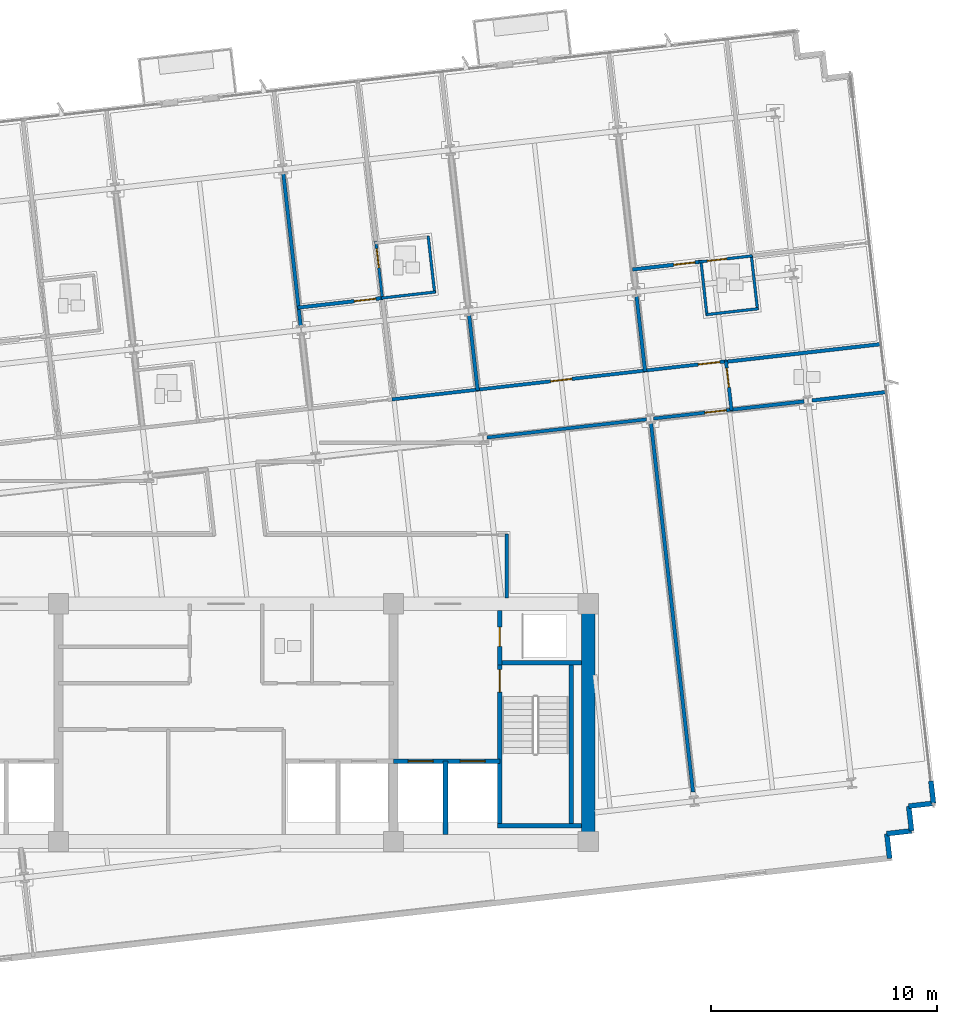
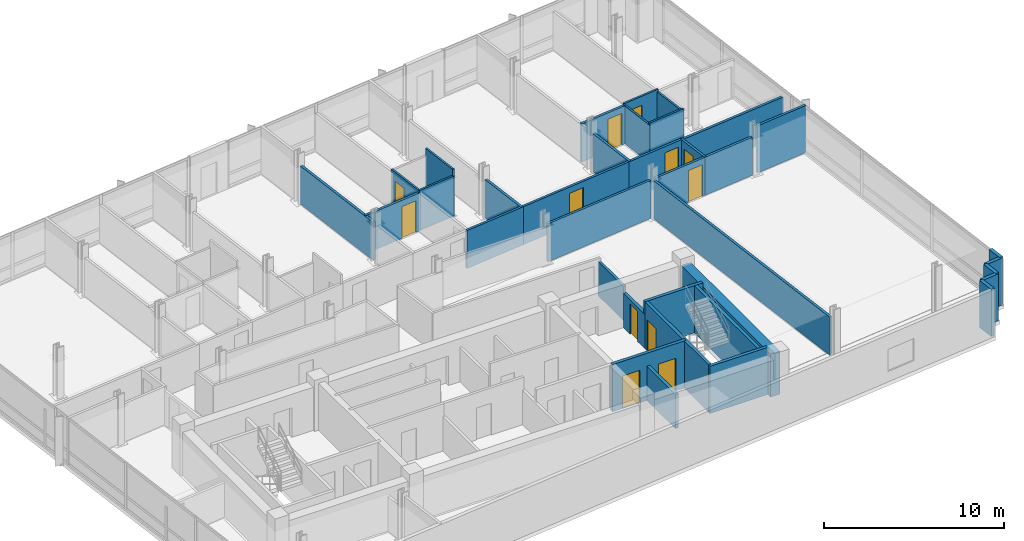
# One storey, part 10 of 16: 36 walls, 12 doors, 12 openings.
"""IFC4 building model written with IfcOpenShell, lengths in metres."""

from ifc_helpers import new_model, si_unit, direction, frame, frame_2d, origin, place, context, subcontext, project, spatial, rectangle, extrude, material, layer, layer_set, type_object, element, fill, save


model = new_model("IFC4")

# Units and contexts
model_context = context("Model", 3, precision=1e-05, world=origin(), true_north=direction((0.0, 1.0)))
body_context = subcontext(model_context, "Body", "Model", "MODEL_VIEW")
ifc_project = project(units=[si_unit("LENGTHUNIT", "METRE"), si_unit("AREAUNIT", "SQUARE_METRE"), si_unit("VOLUMEUNIT", "CUBIC_METRE"), si_unit("PLANEANGLEUNIT", "RADIAN"), si_unit("MASSUNIT", "GRAM", prefix="KILO")], contexts=[model_context])

# Site, building, storey
site_placement = place(None, origin())
site = spatial("IfcSite", under=ifc_project, at=site_placement, CompositionType="ELEMENT")
building_placement = place(site_placement, origin())
building = spatial("IfcBuilding", under=site, at=building_placement, Name="Solmavex Isthmus Hotel", CompositionType="ELEMENT")
storey_placement = place(building_placement, frame((0.0, 0.0, 212.39990234375)))
storey = spatial("IfcBuildingStorey", under=building, at=storey_placement, Name="L57", CompositionType="ELEMENT", Elevation=212.39990234375)

# Walls
ifc_material_1 = material(Name="Precast Concrete C40/50", Category="concrete")
ifc_layer_1 = layer(ifc_material_1, 0.25)
ifc_layer_set_1 = layer_set([ifc_layer_1], Name="Precast Concrete C40/50")
wall_type_1 = type_object("IfcWallType", Name="EW-TWR-250", PredefinedType="STANDARD", material=ifc_layer_set_1)
wall_1_placement = place(storey_placement, frame((31.1474609375, -10.328125, 0.0), z_axis=(0.0, 0.0, 1.0), x_axis=(0.113191877531, -0.993573147212, 0.0)))
element("IfcWall", 1, at=wall_1_placement, inside=storey, type_object=wall_type_1, Name="Serrated Corner Facade Panel L57-21", PredefinedType="STANDARD", context=body_context, shape_type="SweptSolid", body=[
    extrude(rectangle(XDim=0.989990234375, YDim=0.219970703125, at=frame_2d((0.4951171875, 0.0))), origin(), (0.0, 0.0, 1.0), 3.190185546875),
])
wall_2_placement = place(storey_placement, frame((31.259521484375, -11.311767578125, 0.0), z_axis=(0.0, 0.0, 1.0), x_axis=(-0.99357409499, -0.113183557839, 0.0)))
element("IfcWall", 2, at=wall_2_placement, inside=storey, type_object=wall_type_1, Name="Serrated Corner Facade Panel L57-22", PredefinedType="STANDARD", context=body_context, shape_type="SweptSolid", body=[
    extrude(rectangle(XDim=1.10009765625, YDim=0.219970703125, at=frame_2d((0.550048828125, 0.0))), origin(), (0.0, 0.0, 1.0), 3.190185546875),
])
wall_3_placement = place(storey_placement, frame((30.16650390625, -11.436279296875, 0.0), z_axis=(0.0, 0.0, 1.0), x_axis=(0.113427644885, -0.993546259303, 0.0)))
element("IfcWall", 3, at=wall_3_placement, inside=storey, type_object=wall_type_1, Name="Serrated Corner Facade Panel L57-23", PredefinedType="STANDARD", context=body_context, shape_type="SweptSolid", body=[
    extrude(rectangle(XDim=1.099853515625, YDim=0.219970703125, at=frame_2d((0.5498046875, 0.0))), origin(), (0.0, 0.0, 1.0), 3.190185546875),
])
for number, where, z_axis, x_axis, name in (
    (4, (30.291259765625, -12.529052734375, 0.0), (0.0, 0.0, 1.0), (-0.99357409499, -0.113183557839, 0.0), "Serrated Corner Facade Panel L57-24"),
    (5, (29.1982421875, -12.653564453125, 0.0), (0.0, 0.0, 1.0), (0.113183557839, -0.99357409499, 0.0), "Serrated Corner Facade Panel L57-25"),
):
    element("IfcWall", number, at=place(storey_placement, frame(where, z_axis=z_axis, x_axis=x_axis)), inside=storey, type_object=wall_type_1, Name=name, PredefinedType="STANDARD", context=body_context, shape_type="SweptSolid", body=[
        extrude(rectangle(XDim=1.10009765625, YDim=0.219970703125, at=frame_2d((0.550048828125, 0.0))), origin(), (0.0, 0.0, 1.0), 3.190185546875),
    ])
ifc_material_2 = material(Name="Gypsum plasterboard lining", Category="gypsum")
ifc_layer_2 = layer(ifc_material_2, 0.159912109375)
ifc_layer_set_2 = layer_set([ifc_layer_2], Name="Gypsum plasterboard lining")
wall_type_2 = type_object("IfcWallType", Name="IW-COMP-160", PredefinedType="PARTITIONING", material=ifc_layer_set_2)
wall_4_placement = place(storey_placement, frame((2.533203125, 16.529052734375, 0.0), z_axis=(0.0, 0.0, 1.0), x_axis=(0.11321341463, -0.993570693382, 0.0)))
element("IfcWall", 6, at=wall_4_placement, inside=storey, type_object=wall_type_2, Name="Interior Partition Wall W-L57-P042", PredefinedType="PARTITIONING", context=body_context, shape_type="SweptSolid", body=[
    extrude(rectangle(XDim=6.79931640625, YDim=0.159912109375, at=frame_2d((3.399658203125, 0.0))), origin(), (0.0, 0.0, 1.0), 2.572509765625),
])

# Wall, opening, door
wall_5_placement = place(storey_placement, frame((3.169921875, 10.587158203125, 0.0), z_axis=(0.0, 0.0, 1.0), x_axis=(0.993567388358, 0.113242416041, 0.0)))
wall_5 = element("IfcWall", 7, at=wall_5_placement, inside=storey, type_object=wall_type_2, Name="Interior Partition Wall W-L57-P045", PredefinedType="PARTITIONING", context=body_context, shape_type="SweptSolid", body=[
    extrude(rectangle(XDim=3.802978515625, YDim=0.159912109375, at=frame_2d((1.9013671875, 0.0))), origin(), (0.0, 0.0, 1.0), 2.572509765625),
])
opening_1_placement = place(wall_5_placement, frame((2.52099609375, 0.0, 0.0)))
opening_1 = element("IfcOpeningElement", 8, at=opening_1_placement, cuts=wall_5, Name="Opening ID-C095", PredefinedType="OPENING", context=body_context, shape_type="SweptSolid", body=[
    extrude(rectangle(XDim=0.949951171875, YDim=2.14990234375, at=frame_2d((0.47509765625, 1.074951171875))), frame((0.0, 0.08984375, 0.0), z_axis=(0.0, -1.0, 0.0), x_axis=(1.0, 0.0, 0.0)), (0.0, 0.0, 1.0), 0.179931640625),
])
ifc_material_3 = material(Name="Hardwood timber", Category="wood")
door_type_1 = type_object("IfcDoorType", Name="IDR-FD60-0950", OperationType="NOTDEFINED", PredefinedType="DOOR", material=ifc_material_3)
door_1_placement = place(opening_1_placement, origin())
door_1 = element("IfcDoor", 9, at=door_1_placement, inside=storey, type_object=door_type_1, Name="Diplomatic Suite Master Bedroom Door L57-09", OperationType="SINGLE_SWING_LEFT", OverallHeight=2.14990234375, OverallWidth=0.949951171875, PredefinedType="DOOR", context=body_context, shape_type="SweptSolid", body=[
    extrude(rectangle(XDim=0.949951171875, YDim=2.14990234375, at=frame_2d((0.47509765625, 1.074951171875))), frame((0.0, 0.02490234375, 0.0), z_axis=(0.0, -1.0, 0.0), x_axis=(1.0, 0.0, 0.0)), (0.0, 0.0, 1.0), 0.050048828125),
])
fill(opening_1, door_1)

# Walls
wall_6_placement = place(storey_placement, frame((10.740966796875, 10.265869140625, 0.0), z_axis=(0.0, 0.0, 1.0), x_axis=(0.113220917918, -0.993569838384, 0.0)))
element("IfcWall", 10, at=wall_6_placement, inside=storey, type_object=wall_type_2, Name="Interior Partition Wall W-L57-P054", PredefinedType="PARTITIONING", context=body_context, shape_type="SweptSolid", body=[
    extrude(rectangle(XDim=3.36181640625, YDim=0.159912109375, at=frame_2d((1.680908203125, 0.0))), origin(), (0.0, 0.0, 1.0), 2.572509765625),
])
wall_7_placement = place(storey_placement, frame((18.13916015625, 11.108642578125, 0.0), z_axis=(0.0, 0.0, 1.0), x_axis=(0.113229088195, -0.993568907317, 0.0)))
element("IfcWall", 11, at=wall_7_placement, inside=storey, type_object=wall_type_2, Name="Interior Partition Wall W-L57-P056", PredefinedType="PARTITIONING", context=body_context, shape_type="SweptSolid", body=[
    extrude(rectangle(XDim=3.361572265625, YDim=0.159912109375, at=frame_2d((1.6806640625, 0.0))), origin(), (0.0, 0.0, 1.0), 2.572509765625),
])

# Wall, opening, door
wall_8_placement = place(storey_placement, frame((17.96630859375, 12.27294921875, 0.0), z_axis=(0.0, 0.0, 1.0), x_axis=(0.993571907495, 0.113202758961, 0.0)))
wall_8 = element("IfcWall", 12, at=wall_8_placement, inside=storey, type_object=wall_type_2, Name="Interior Partition Wall W-L57-P058", PredefinedType="PARTITIONING", context=body_context, shape_type="SweptSolid", body=[
    extrude(rectangle(XDim=3.083984375, YDim=0.159912109375, at=frame_2d((1.5419921875, 0.0))), origin(), (0.0, 0.0, 1.0), 2.572509765625),
])
opening_2_placement = place(wall_8_placement, frame((1.823974609375, 0.0, 0.0)))
opening_2 = element("IfcOpeningElement", 13, at=opening_2_placement, cuts=wall_8, Name="Opening ID-C095", PredefinedType="OPENING", context=body_context, shape_type="SweptSolid", body=[
    extrude(rectangle(XDim=0.949951171875, YDim=2.14990234375, at=frame_2d((0.47509765625, 1.074951171875))), frame((0.0, 0.08984375, 0.0), z_axis=(0.0, -1.0, 0.0), x_axis=(1.0, 0.0, 0.0)), (0.0, 0.0, 1.0), 0.179931640625),
])
door_2_placement = place(opening_2_placement, origin())
door_2 = element("IfcDoor", 14, at=door_2_placement, inside=storey, type_object=door_type_1, Name="Diplomatic Hospitality Suite Bedroom Door L57-14", OperationType="SINGLE_SWING_RIGHT", OverallHeight=2.14990234375, OverallWidth=0.949951171875, PredefinedType="DOOR", context=body_context, shape_type="SweptSolid", body=[
    extrude(rectangle(XDim=0.949951171875, YDim=2.14990234375, at=frame_2d((0.47509765625, 1.074951171875))), frame((0.0, 0.02490234375, 0.0), z_axis=(0.0, -1.0, 0.0), x_axis=(1.0, 0.0, 0.0)), (0.0, 0.0, 1.0), 0.050048828125),
])
fill(opening_2, door_2)

# Walls
wall_9_placement = place(storey_placement, frame((28.977783203125, 8.98046875, 0.0), z_axis=(0.0, 0.0, 1.0), x_axis=(-0.993571800428, -0.113203698681, 0.0)))
element("IfcWall", 15, at=wall_9_placement, inside=storey, type_object=wall_type_2, Name="Interior Partition Wall W-L57-P063", PredefinedType="PARTITIONING", context=body_context, shape_type="SweptSolid", body=[
    extrude(rectangle(XDim=6.968017578125, YDim=0.159912109375, at=frame_2d((3.48388671875, 0.0))), origin(), (0.0, 0.0, 1.0), 2.5576171875),
])
wall_10_placement = place(storey_placement, frame((25.546142578125, 6.44580078125, 0.0), z_axis=(0.0, 0.0, 1.0), x_axis=(-0.993568592225, -0.113231853041, 0.0)))
element("IfcWall", 16, at=wall_10_placement, inside=storey, type_object=wall_type_2, Name="Interior Partition Wall W-L57-P068", PredefinedType="PARTITIONING", context=body_context, shape_type="SweptSolid", body=[
    extrude(rectangle(XDim=3.281494140625, YDim=0.159912109375, at=frame_2d((1.640625, 0.0))), origin(), (0.0, 0.0, 1.0), 2.572509765625),
])
wall_11_placement = place(storey_placement, frame((29.21875, 6.864013671875, 0.0), z_axis=(0.0, 0.0, 1.0), x_axis=(-0.993574498496, -0.113180015629, 0.0)))
element("IfcWall", 17, at=wall_11_placement, inside=storey, type_object=wall_type_2, Name="Interior Partition Wall W-L57-P069", PredefinedType="PARTITIONING", context=body_context, shape_type="SweptSolid", body=[
    extrude(rectangle(XDim=3.343505859375, YDim=0.159912109375, at=frame_2d((1.671875, 0.0))), origin(), (0.0, 0.0, 1.0), 3.190185546875),
])
wall_12_placement = place(storey_placement, frame((18.778564453125, 5.4970703125, 0.0), z_axis=(0.0, 0.0, 1.0), x_axis=(0.113193364489, -0.993572977811, 0.0)))
element("IfcWall", 18, at=wall_12_placement, inside=storey, type_object=wall_type_2, Name="Interior Partition Wall W-L57-P073", PredefinedType="PARTITIONING", context=body_context, shape_type="SweptSolid", body=[
    extrude(rectangle(XDim=16.41357421875, YDim=0.159912109375, at=frame_2d((8.206787109375, 0.0))), origin(), (0.0, 0.0, 1.0), 2.572509765625),
])
ifc_layer_3 = layer(ifc_material_2, 0.14990234375)
ifc_layer_set_3 = layer_set([ifc_layer_3], Name="Gypsum plasterboard lining")
wall_type_3 = type_object("IfcWallType", Name="IW-CORR-150", PredefinedType="PARTITIONING", material=ifc_layer_set_3)
wall_13_placement = place(storey_placement, frame((7.33642578125, 6.534912109375, 0.0), z_axis=(0.0, 0.0, 1.0), x_axis=(0.993574309552, 0.113181674304, 0.0)))
element("IfcWall", 19, at=wall_13_placement, inside=storey, type_object=wall_type_3, Name="Interior Partition Wall W-L57-P007", PredefinedType="PARTITIONING", context=body_context, shape_type="SweptSolid", body=[
    extrude(rectangle(XDim=3.886962890625, YDim=0.14990234375, at=frame_2d((1.943359375, 0.0))), origin(), (0.0, 0.0, 1.0), 2.572509765625),
])

# Wall, opening, door
wall_14_placement = place(storey_placement, frame((11.03564453125, 6.956298828125, 0.0), z_axis=(0.0, 0.0, 1.0), x_axis=(0.993570360949, 0.113216332056, 0.0)))
wall_14 = element("IfcWall", 20, at=wall_14_placement, inside=storey, type_object=wall_type_3, Name="Interior Partition Wall W-L57-P008", PredefinedType="PARTITIONING", context=body_context, shape_type="SweptSolid", body=[
    extrude(rectangle(XDim=7.60986328125, YDim=0.14990234375, at=frame_2d((3.804931640625, 0.0))), origin(), (0.0, 0.0, 1.0), 2.572509765625),
])
opening_3_placement = place(wall_14_placement, frame((3.330078125, 0.0, 0.0)))
opening_3 = element("IfcOpeningElement", 21, at=opening_3_placement, cuts=wall_14, Name="Opening ID-C095", PredefinedType="OPENING", context=body_context, shape_type="SweptSolid", body=[
    extrude(rectangle(XDim=0.949951171875, YDim=2.14990234375, at=frame_2d((0.47509765625, 1.074951171875))), frame((0.0, 0.0849609375, 0.0), z_axis=(0.0, -1.0, 0.0), x_axis=(1.0, 0.0, 0.0)), (0.0, 0.0, 1.0), 0.169921875),
])
door_3_placement = place(opening_3_placement, origin())
door_3 = element("IfcDoor", 22, at=door_3_placement, inside=storey, type_object=door_type_1, Name="Summit Dining Room Door L57-12", OperationType="SINGLE_SWING_RIGHT", OverallHeight=2.14990234375, OverallWidth=0.949951171875, PredefinedType="DOOR", context=body_context, shape_type="SweptSolid", body=[
    extrude(rectangle(XDim=0.949951171875, YDim=2.14990234375, at=frame_2d((0.47509765625, 1.074951171875))), frame((0.0, 0.02490234375, 0.0), z_axis=(0.0, -1.0, 0.0), x_axis=(1.0, 0.0, 0.0)), (0.0, 0.0, 1.0), 0.050048828125),
])
fill(opening_3, door_3)

wall_15_placement = place(storey_placement, frame((18.43359375, 7.79931640625, 0.0), z_axis=(0.0, 0.0, 1.0), x_axis=(0.993578468541, 0.11314515832, 0.0)))
wall_15 = element("IfcWall", 23, at=wall_15_placement, inside=storey, type_object=wall_type_3, Name="Interior Partition Wall W-L57-P009", PredefinedType="PARTITIONING", context=body_context, shape_type="SweptSolid", body=[
    extrude(rectangle(XDim=3.72216796875, YDim=0.14990234375, at=frame_2d((1.861083984375, 0.0))), origin(), (0.0, 0.0, 1.0), 2.572509765625),
])
opening_4_placement = place(wall_15_placement, frame((2.456787109375, 0.0, 0.0)))
opening_4 = element("IfcOpeningElement", 24, at=opening_4_placement, cuts=wall_15, Name="Opening ID-C095", PredefinedType="OPENING", context=body_context, shape_type="SweptSolid", body=[
    extrude(rectangle(XDim=0.949951171875, YDim=2.14990234375, at=frame_2d((0.47509765625, 1.074951171875))), frame((0.0, 0.0849609375, 0.0), z_axis=(0.0, -1.0, 0.0), x_axis=(1.0, 0.0, 0.0)), (0.0, 0.0, 1.0), 0.169921875),
])
door_4_placement = place(opening_4_placement, origin())
door_4 = element("IfcDoor", 25, at=door_4_placement, inside=storey, type_object=door_type_1, Name="Diplomatic Hospitality Suite Reception Foyer Door L57-13", OperationType="SINGLE_SWING_LEFT", OverallHeight=2.14990234375, OverallWidth=0.949951171875, PredefinedType="DOOR", context=body_context, shape_type="SweptSolid", body=[
    extrude(rectangle(XDim=0.949951171875, YDim=2.14990234375, at=frame_2d((0.47509765625, 1.074951171875))), frame((0.0, 0.02490234375, 0.0), z_axis=(0.0, -1.0, 0.0), x_axis=(1.0, 0.0, 0.0)), (0.0, 0.0, 1.0), 0.050048828125),
])
fill(opening_4, door_4)

wall_16_placement = place(storey_placement, frame((22.08984375, 8.23583984375, 0.0), z_axis=(0.0, 0.0, 1.0), x_axis=(0.113122854389, -0.993581008179, 0.0)))
wall_16 = element("IfcWall", 26, at=wall_16_placement, inside=storey, type_object=wall_type_3, Name="Interior Partition Wall W-L57-P011", PredefinedType="PARTITIONING", context=body_context, shape_type="SweptSolid", body=[
    extrude(rectangle(XDim=2.2099609375, YDim=0.14990234375, at=frame_2d((1.10498046875, 0.0))), origin(), (0.0, 0.0, 1.0), 2.572509765625),
])
opening_5_placement = place(wall_16_placement, frame((0.322265625, 0.0, 0.0)))
opening_5 = element("IfcOpeningElement", 27, at=opening_5_placement, cuts=wall_16, Name="Opening ID-R085", PredefinedType="OPENING", context=body_context, shape_type="SweptSolid", body=[
    extrude(rectangle(XDim=0.85009765625, YDim=2.050048828125, at=frame_2d((0.425048828125, 1.02490234375))), frame((0.0, 0.0849609375, 0.0), z_axis=(0.0, -1.0, 0.0), x_axis=(1.0, 0.0, 0.0)), (0.0, 0.0, 1.0), 0.169921875),
])
ifc_material_4 = material(Name="Steel ASTM A500 Grade C", Category="steel")
door_type_2 = type_object("IfcDoorType", Name="IDR-FD60-0850", OperationType="NOTDEFINED", PredefinedType="DOOR", material=ifc_material_4)
door_5_placement = place(opening_5_placement, frame((0.85009765625, 0.0, 0.0), z_axis=(0.0, 0.0, 1.0), x_axis=(-1.0, 0.0, 0.0)))
door_5 = element("IfcDoor", 28, at=door_5_placement, inside=storey, type_object=door_type_2, Name="Public Restroom WC Door L57-18", OperationType="SINGLE_SWING_RIGHT", OverallHeight=2.050048828125, OverallWidth=0.85009765625, PredefinedType="DOOR", context=body_context, shape_type="SweptSolid", body=[
    extrude(rectangle(XDim=0.85009765625, YDim=2.050048828125, at=frame_2d((0.425048828125, 1.02490234375))), frame((0.0, 0.02490234375, 0.0), z_axis=(0.0, -1.0, 0.0), x_axis=(1.0, 0.0, 0.0)), (0.0, 0.0, 1.0), 0.050048828125),
])
fill(opening_5, door_5)

# Walls
wall_17_placement = place(storey_placement, frame((18.583251953125, 5.65234375, 0.0), z_axis=(0.0, 0.0, 1.0), x_axis=(-0.993571775172, -0.113203920343, 0.0)))
element("IfcWall", 29, at=wall_17_placement, inside=storey, type_object=wall_type_3, Name="Interior Partition Wall W-L57-P019", PredefinedType="PARTITIONING", context=body_context, shape_type="SweptSolid", body=[
    extrude(rectangle(XDim=7.09326171875, YDim=0.14990234375, at=frame_2d((3.546630859375, 0.0))), origin(), (0.0, 0.0, 1.0), 2.572509765625),
])
wall_18_placement = place(storey_placement, frame((12.39990234375, 0.590087890625, 0.0), z_axis=(0.0, 0.0, 1.0), x_axis=(0.0, -1.0, 0.0)))
element("IfcWall", 30, at=wall_18_placement, inside=storey, type_object=wall_type_3, Name="Interior Partition Wall W-L57-P024", PredefinedType="PARTITIONING", context=body_context, shape_type="SweptSolid", body=[
    extrude(rectangle(XDim=2.830078125, YDim=0.14990234375, at=frame_2d((1.4150390625, 0.0))), origin(), (0.0, 0.0, 1.0), 2.3251953125),
])

# Wall, opening, door
wall_19_placement = place(storey_placement, frame((22.375244140625, 6.08447265625, 0.0), z_axis=(0.0, 0.0, 1.0), x_axis=(-0.993568982909, -0.113228424882, 0.0)))
wall_19 = element("IfcWall", 31, at=wall_19_placement, inside=storey, type_object=wall_type_3, Name="Interior Partition Wall W-L57-P025", PredefinedType="PARTITIONING", context=body_context, shape_type="SweptSolid", body=[
    extrude(rectangle(XDim=3.505859375, YDim=0.14990234375, at=frame_2d((1.7529296875, 0.0))), origin(), (0.0, 0.0, 1.0), 2.572509765625),
])
opening_6_placement = place(wall_19_placement, frame((0.270751953125, 0.0, 0.0)))
opening_6 = element("IfcOpeningElement", 32, at=opening_6_placement, cuts=wall_19, Name="Opening ID-C095", PredefinedType="OPENING", context=body_context, shape_type="SweptSolid", body=[
    extrude(rectangle(XDim=0.949951171875, YDim=2.14990234375, at=frame_2d((0.47509765625, 1.074951171875))), frame((0.0, 0.0849609375, 0.0), z_axis=(0.0, -1.0, 0.0), x_axis=(1.0, 0.0, 0.0)), (0.0, 0.0, 1.0), 0.169921875),
])
door_6_placement = place(opening_6_placement, origin())
door_6 = element("IfcDoor", 33, at=door_6_placement, inside=storey, type_object=door_type_1, Name="Protocol Boardroom Door L57-24", OperationType="SINGLE_SWING_RIGHT", OverallHeight=2.14990234375, OverallWidth=0.949951171875, PredefinedType="DOOR", context=body_context, shape_type="SweptSolid", body=[
    extrude(rectangle(XDim=0.949951171875, YDim=2.14990234375, at=frame_2d((0.47509765625, 1.074951171875))), frame((0.0, 0.02490234375, 0.0), z_axis=(0.0, -1.0, 0.0), x_axis=(1.0, 0.0, 0.0)), (0.0, 0.0, 1.0), 0.050048828125),
])
fill(opening_6, door_6)

ifc_layer_4 = layer(ifc_material_2, 0.1201171875)
ifc_layer_set_4 = layer_set([ifc_layer_4], Name="Gypsum plasterboard lining")
wall_type_4 = type_object("IfcWallType", Name="IW-PART-120", PredefinedType="PARTITIONING", material=ifc_layer_set_4)
wall_20_placement = place(storey_placement, frame((6.6220703125, 13.529052734375, 0.0), z_axis=(0.0, 0.0, 1.0), x_axis=(0.113233389532, -0.993568417118, 0.0)))
wall_20 = element("IfcWall", 34, at=wall_20_placement, inside=storey, type_object=wall_type_4, Name="Interior Partition Wall W-L57-P048", PredefinedType="PARTITIONING", context=body_context, shape_type="SweptSolid", body=[
    extrude(rectangle(XDim=2.572265625, YDim=0.1201171875, at=frame_2d((1.2861328125, 0.0))), origin(), (0.0, 0.0, 1.0), 2.71826171875),
])
opening_7_placement = place(wall_20_placement, frame((0.337646484375, 0.0, 0.0)))
opening_7 = element("IfcOpeningElement", 35, at=opening_7_placement, cuts=wall_20, Name="Opening ID-U085", PredefinedType="OPENING", context=body_context, shape_type="SweptSolid", body=[
    extrude(rectangle(XDim=0.85009765625, YDim=2.10009765625, at=frame_2d((0.425048828125, 1.050048828125))), frame((0.0, 0.070068359375, 0.0), z_axis=(0.0, -1.0, 0.0), x_axis=(1.0, 0.0, 0.0)), (0.0, 0.0, 1.0), 0.14013671875),
])
door_type_3 = type_object("IfcDoorType", Name="IDR-UNR-0850", OperationType="NOTDEFINED", PredefinedType="DOOR", material=ifc_material_3)
door_7_placement = place(opening_7_placement, origin())
door_7 = element("IfcDoor", 36, at=door_7_placement, inside=storey, type_object=door_type_3, Name="En-suite Bathroom Door L57-11", OperationType="SINGLE_SWING_LEFT", OverallHeight=2.10009765625, OverallWidth=0.85009765625, PredefinedType="DOOR", context=body_context, shape_type="SweptSolid", body=[
    extrude(rectangle(XDim=0.85009765625, YDim=2.10009765625, at=frame_2d((0.425048828125, 1.050048828125))), frame((0.0, 0.02490234375, 0.0), z_axis=(0.0, -1.0, 0.0), x_axis=(1.0, 0.0, 0.0)), (0.0, 0.0, 1.0), 0.050048828125),
])
fill(opening_7, door_7)

# Walls
wall_21_placement = place(storey_placement, frame((6.869140625, 11.0087890625, 0.0), z_axis=(0.0, 0.0, 1.0), x_axis=(0.993573870401, 0.113185529362, 0.0)))
element("IfcWall", 37, at=wall_21_placement, inside=storey, type_object=wall_type_4, Name="Interior Partition Wall W-L57-P049", PredefinedType="PARTITIONING", context=body_context, shape_type="SweptSolid", body=[
    extrude(rectangle(XDim=2.40283203125, YDim=0.1201171875, at=frame_2d((1.201416015625, 0.0))), origin(), (0.0, 0.0, 1.0), 2.71826171875),
])
wall_22_placement = place(storey_placement, frame((9.221435546875, 11.236328125, 0.0), z_axis=(0.0, 0.0, 1.0), x_axis=(-0.113184642947, 0.993573971379, 0.0)))
element("IfcWall", 38, at=wall_22_placement, inside=storey, type_object=wall_type_4, Name="Interior Partition Wall W-L57-P050", PredefinedType="PARTITIONING", context=body_context, shape_type="SweptSolid", body=[
    extrude(rectangle(XDim=2.5302734375, YDim=0.1201171875, at=frame_2d((1.26513671875, 0.0))), origin(), (0.0, 0.0, 1.0), 3.190185546875),
])
wall_23_placement = place(storey_placement, frame((20.986328125, 12.657470703125, 0.0), z_axis=(0.0, 0.0, 1.0), x_axis=(0.10900891826, -0.994040771669, 0.0)))
element("IfcWall", 39, at=wall_23_placement, inside=storey, type_object=wall_type_4, Name="Interior Partition Wall W-L57-P060", PredefinedType="PARTITIONING", context=body_context, shape_type="SweptSolid", body=[
    extrude(rectangle(XDim=2.429931640625, YDim=0.1201171875, at=frame_2d((1.21484375, 0.0))), origin(), (0.0, 0.0, 1.0), 2.572509765625),
])
wall_24_placement = place(storey_placement, frame((21.20703125, 10.277099609375, 0.0), z_axis=(0.0, 0.0, 1.0), x_axis=(0.99357583204, 0.113168308226, 0.0)))
element("IfcWall", 40, at=wall_24_placement, inside=storey, type_object=wall_type_4, Name="Interior Partition Wall W-L57-P061", PredefinedType="PARTITIONING", context=body_context, shape_type="SweptSolid", body=[
    extrude(rectangle(XDim=2.329833984375, YDim=0.1201171875, at=frame_2d((1.1650390625, 0.0))), origin(), (0.0, 0.0, 1.0), 2.71826171875),
])
wall_25_placement = place(storey_placement, frame((23.48681640625, 10.49658203125, 0.0), z_axis=(0.0, 0.0, 1.0), x_axis=(-0.113232053563, 0.993568569373, 0.0)))
element("IfcWall", 41, at=wall_25_placement, inside=storey, type_object=wall_type_4, Name="Interior Partition Wall W-L57-P062", PredefinedType="PARTITIONING", context=body_context, shape_type="SweptSolid", body=[
    extrude(rectangle(XDim=2.429931640625, YDim=0.1201171875, at=frame_2d((1.21484375, 0.0))), origin(), (0.0, 0.0, 1.0), 2.572509765625),
])

# Wall, opening, door
wall_26_placement = place(storey_placement, frame((23.256103515625, 12.875732421875, 0.0), z_axis=(0.0, 0.0, 1.0), x_axis=(-0.99357109585, -0.113209882477, 0.0)))
wall_26 = element("IfcWall", 42, at=wall_26_placement, inside=storey, type_object=wall_type_4, Name="Interior Partition Wall W-L57-P065", PredefinedType="PARTITIONING", context=body_context, shape_type="SweptSolid", body=[
    extrude(rectangle(XDim=2.3720703125, YDim=0.1201171875, at=frame_2d((1.18603515625, 0.0))), origin(), (0.0, 0.0, 1.0), 2.71826171875),
])
opening_8_placement = place(wall_26_placement, frame((1.14599609375, 0.0, 0.0)))
opening_8 = element("IfcOpeningElement", 43, at=opening_8_placement, cuts=wall_26, Name="Opening ID-U085", PredefinedType="OPENING", context=body_context, shape_type="SweptSolid", body=[
    extrude(rectangle(XDim=0.85009765625, YDim=2.10009765625, at=frame_2d((0.425048828125, 1.050048828125))), frame((0.0, 0.070068359375, 0.0), z_axis=(0.0, -1.0, 0.0), x_axis=(1.0, 0.0, 0.0)), (0.0, 0.0, 1.0), 0.14013671875),
])
door_8_placement = place(opening_8_placement, frame((0.85009765625, 0.0, 0.0), z_axis=(0.0, 0.0, 1.0), x_axis=(-1.0, 0.0, 0.0)))
door_8 = element("IfcDoor", 44, at=door_8_placement, inside=storey, type_object=door_type_3, Name="En-suite Bathroom Door L57-16", OperationType="SINGLE_SWING_RIGHT", OverallHeight=2.10009765625, OverallWidth=0.85009765625, PredefinedType="DOOR", context=body_context, shape_type="SweptSolid", body=[
    extrude(rectangle(XDim=0.85009765625, YDim=2.10009765625, at=frame_2d((0.425048828125, 1.050048828125))), frame((0.0, 0.02490234375, 0.0), z_axis=(0.0, -1.0, 0.0), x_axis=(1.0, 0.0, 0.0)), (0.0, 0.0, 1.0), 0.050048828125),
])
fill(opening_8, door_8)

ifc_material_5 = material(Name="Concrete C40/50", Category="concrete")
ifc_layer_5 = layer(ifc_material_5, 0.199951171875)
ifc_layer_set_5 = layer_set([ifc_layer_5], Name="Concrete C40/50")
wall_type_5 = type_object("IfcWallType", Name="IW-SHAFT-200", PredefinedType="PARTITIONING", material=ifc_layer_set_5)
wall_27_placement = place(storey_placement, frame((12.10009765625, -5.199951171875, 0.0), z_axis=(0.0, 0.0, 1.0), x_axis=(0.0, 1.0, 0.0)))
wall_27 = element("IfcWall", 45, at=wall_27_placement, inside=storey, type_object=wall_type_5, Name="Interior Partition Wall W-L57-RSE-W", PredefinedType="PARTITIONING", context=body_context, shape_type="SweptSolid", body=[
    extrude(rectangle(XDim=2.39990234375, YDim=0.199951171875, at=frame_2d((1.199951171875, 0.0))), origin(), (0.0, 0.0, 1.0), 2.3251953125),
])
opening_9_placement = place(wall_27_placement, frame((0.824951171875, 0.0, 0.0)))
opening_9 = element("IfcOpeningElement", 46, at=opening_9_placement, cuts=wall_27, Name="Opening ID-R085", PredefinedType="OPENING", context=body_context, shape_type="SweptSolid", body=[
    extrude(rectangle(XDim=0.85009765625, YDim=2.050048828125, at=frame_2d((0.425048828125, 1.02490234375))), frame((0.0, 0.10986328125, 0.0), z_axis=(0.0, -1.0, 0.0), x_axis=(1.0, 0.0, 0.0)), (0.0, 0.0, 1.0), 0.219970703125),
])
door_9_placement = place(opening_9_placement, frame((0.85009765625, 0.0, 0.0), z_axis=(0.0, 0.0, 1.0), x_axis=(-1.0, 0.0, 0.0)))
door_9 = element("IfcDoor", 47, at=door_9_placement, inside=storey, type_object=door_type_2, Name="Mechanical Riser Door L57", OperationType="SINGLE_SWING_LEFT", OverallHeight=2.050048828125, OverallWidth=0.85009765625, PredefinedType="DOOR", context=body_context, shape_type="SweptSolid", body=[
    extrude(rectangle(XDim=0.85009765625, YDim=2.050048828125, at=frame_2d((0.425048828125, 1.02490234375))), frame((0.0, 0.02490234375, 0.0), z_axis=(0.0, -1.0, 0.0), x_axis=(1.0, 0.0, 0.0)), (0.0, 0.0, 1.0), 0.050048828125),
])
fill(opening_9, door_9)

# Wall, openings, doors
wall_28_placement = place(storey_placement, frame((7.39990234375, -9.449951171875, 0.0), z_axis=(0.0, 0.0, 1.0), x_axis=(1.0, 0.0, 0.0)))
wall_28 = element("IfcWall", 48, at=wall_28_placement, inside=storey, type_object=wall_type_5, Name="Interior Partition Wall W-L57-FFLE-S", PredefinedType="PARTITIONING", context=body_context, shape_type="SweptSolid", body=[
    extrude(rectangle(XDim=4.7001953125, YDim=0.199951171875, at=frame_2d((2.35009765625, 0.0))), origin(), (0.0, 0.0, 1.0), 3.190185546875),
])
opening_10_placement = place(wall_28_placement, frame((2.949951171875, 0.0, 0.0)))
opening_10 = element("IfcOpeningElement", 49, at=opening_10_placement, cuts=wall_28, Name="Opening LD-FF", PredefinedType="OPENING", context=body_context, shape_type="SweptSolid", body=[
    extrude(rectangle(XDim=1.10009765625, YDim=2.199951171875, at=frame_2d((0.550048828125, 1.10009765625))), frame((0.0, 0.10986328125, 0.0), z_axis=(0.0, -1.0, 0.0), x_axis=(1.0, 0.0, 0.0)), (0.0, 0.0, 1.0), 0.219970703125),
])
opening_11_placement = place(wall_28_placement, frame((0.64990234375, 0.0, 0.0)))
opening_11 = element("IfcOpeningElement", 50, at=opening_11_placement, cuts=wall_28, Name="Opening LD-SV", PredefinedType="OPENING", context=body_context, shape_type="SweptSolid", body=[
    extrude(rectangle(XDim=1.10009765625, YDim=2.199951171875, at=frame_2d((0.550048828125, 1.10009765625))), frame((0.0, 0.10986328125, 0.0), z_axis=(0.0, -1.0, 0.0), x_axis=(1.0, 0.0, 0.0)), (0.0, 0.0, 1.0), 0.219970703125),
])
ifc_material_6 = material(Name="Stainless steel 316", Category="steel")
door_type_4 = type_object("IfcDoorType", Name="LDR-FF-1100", OperationType="NOTDEFINED", PredefinedType="DOOR", material=ifc_material_6)
door_10_placement = place(opening_10_placement, origin())
door_10 = element("IfcDoor", 51, at=door_10_placement, inside=storey, type_object=door_type_4, Name="Lift Landing Door FFL-2 L57", OperationType="SLIDING_TO_LEFT", OverallHeight=2.199951171875, OverallWidth=1.10009765625, PredefinedType="DOOR", context=body_context, shape_type="SweptSolid", body=[
    extrude(rectangle(XDim=1.10009765625, YDim=2.199951171875, at=frame_2d((0.550048828125, 1.10009765625))), frame((0.0, 0.02490234375, 0.0), z_axis=(0.0, -1.0, 0.0), x_axis=(1.0, 0.0, 0.0)), (0.0, 0.0, 1.0), 0.050048828125),
])
fill(opening_10, door_10)
door_type_5 = type_object("IfcDoorType", Name="LDR-SV-1100", OperationType="NOTDEFINED", PredefinedType="DOOR", material=ifc_material_6)
door_11_placement = place(opening_11_placement, origin())
door_11 = element("IfcDoor", 52, at=door_11_placement, inside=storey, type_object=door_type_5, Name="Lift Landing Door SVL-2 L57", OperationType="SLIDING_TO_RIGHT", OverallHeight=2.199951171875, OverallWidth=1.10009765625, PredefinedType="DOOR", context=body_context, shape_type="SweptSolid", body=[
    extrude(rectangle(XDim=1.10009765625, YDim=2.199951171875, at=frame_2d((0.550048828125, 1.10009765625))), frame((0.0, 0.02490234375, 0.0), z_axis=(0.0, -1.0, 0.0), x_axis=(1.0, 0.0, 0.0)), (0.0, 0.0, 1.0), 0.050048828125),
])
fill(opening_11, door_11)

# Walls
wall_29_placement = place(storey_placement, frame((9.699951171875, -12.699951171875, 0.0), z_axis=(0.0, 0.0, 1.0), x_axis=(0.0, 1.0, 0.0)))
element("IfcWall", 53, at=wall_29_placement, inside=storey, type_object=wall_type_5, Name="Interior Partition Wall W-L57-FFLE-M", PredefinedType="PARTITIONING", context=body_context, shape_type="SweptSolid", body=[
    extrude(rectangle(XDim=3.25, YDim=0.199951171875, at=frame_2d((1.625, 0.0))), origin(), (0.0, 0.0, 1.0), 2.3251953125),
])
ifc_material_7 = material(Name="Concrete C50/60", Category="concrete")
ifc_layer_6 = layer(ifc_material_7, 0.60009765625)
ifc_layer_set_6 = layer_set([ifc_layer_6], Name="Concrete C50/60")
wall_type_6 = type_object("IfcWallType", Name="WALL-CW-600", PredefinedType="SHEAR", material=ifc_layer_set_6)
wall_30_placement = place(storey_placement, frame((16.0, -12.699951171875, 0.0), z_axis=(0.0, 0.0, 1.0), x_axis=(0.0, 1.0, 0.0)))
element("IfcWall", 54, at=wall_30_placement, inside=storey, type_object=wall_type_6, Name="Core Shear Wall East L57", PredefinedType="SHEAR", context=body_context, shape_type="SweptSolid", body=[
    extrude(rectangle(XDim=9.89990234375, YDim=0.60009765625, at=frame_2d((4.949951171875, 0.0))), origin(), (0.0, 0.0, 1.0), 2.91015625),
])
ifc_layer_7 = layer(ifc_material_5, 0.199951171875)
ifc_layer_set_7 = layer_set([ifc_layer_7], Name="Concrete C40/50")
wall_type_7 = type_object("IfcWallType", Name="WALL-SW-200", PredefinedType="SOLIDWALL", material=ifc_layer_set_7)
for number, where, z_axis, x_axis, name in (
    (55, (12.0, -12.300048828125, 0.0), (0.0, 0.0, 1.0), (1.0, 0.0, 0.0), "Stairwell Structural Wall SW-L57-ST2-S"),
    (56, (12.0, -5.10009765625, 0.0), (0.0, 0.0, 1.0), (1.0, 0.0, 0.0), "Stairwell Structural Wall SW-L57-ST2-N"),
):
    element("IfcWall", number, at=place(storey_placement, frame(where, z_axis=z_axis, x_axis=x_axis)), inside=storey, type_object=wall_type_7, Name=name, PredefinedType="SOLIDWALL", context=body_context, shape_type="SweptSolid", body=[
        extrude(rectangle(XDim=3.699951171875, YDim=0.199951171875, at=frame_2d((1.85009765625, 0.0))), origin(), (0.0, 0.0, 1.0), 3.190185546875),
    ])

# Wall, opening, door
wall_31_placement = place(storey_placement, frame((12.10009765625, -12.199951171875, 0.0), z_axis=(0.0, 0.0, 1.0), x_axis=(0.0, 1.0, 0.0)))
wall_31 = element("IfcWall", 57, at=wall_31_placement, inside=storey, type_object=wall_type_7, Name="Stairwell Structural Wall SW-L57-ST2-W", PredefinedType="SOLIDWALL", context=body_context, shape_type="SweptSolid", body=[
    extrude(rectangle(XDim=7.0, YDim=0.199951171875, at=frame_2d((3.5, 0.0))), origin(), (0.0, 0.0, 1.0), 3.190185546875),
])
opening_12_placement = place(wall_31_placement, frame((5.800048828125, 0.0, 0.0)))
opening_12 = element("IfcOpeningElement", 58, at=opening_12_placement, cuts=wall_31, Name="Opening ID-F100", PredefinedType="OPENING", context=body_context, shape_type="SweptSolid", body=[
    extrude(rectangle(XDim=1.0, YDim=2.10009765625, at=frame_2d((0.5, 1.050048828125))), frame((0.0, 0.10986328125, 0.0), z_axis=(0.0, -1.0, 0.0), x_axis=(1.0, 0.0, 0.0)), (0.0, 0.0, 1.0), 0.219970703125),
])
door_type_6 = type_object("IfcDoorType", Name="IDR-FD90-1000", OperationType="NOTDEFINED", PredefinedType="DOOR", material=ifc_material_4)
door_12_placement = place(opening_12_placement, origin())
door_12 = element("IfcDoor", 59, at=door_12_placement, inside=storey, type_object=door_type_6, Name="Stair ST-2 Fire Door L57", OperationType="SINGLE_SWING_RIGHT", OverallHeight=2.10009765625, OverallWidth=1.0, PredefinedType="DOOR", context=body_context, shape_type="SweptSolid", body=[
    extrude(rectangle(XDim=1.0, YDim=2.10009765625, at=frame_2d((0.5, 1.050048828125))), frame((0.0, 0.02490234375, 0.0), z_axis=(0.0, -1.0, 0.0), x_axis=(1.0, 0.0, 0.0)), (0.0, 0.0, 1.0), 0.050048828125),
])
fill(opening_12, door_12)

# Wall
wall_32_placement = place(storey_placement, frame((15.25, -12.199951171875, 0.0), z_axis=(0.0, 0.0, 1.0), x_axis=(0.0, 1.0, 0.0)))
element("IfcWall", 60, at=wall_32_placement, inside=storey, type_object=wall_type_7, Name="Stairwell Structural Wall SW-L57-ST2-E", PredefinedType="SOLIDWALL", context=body_context, shape_type="SweptSolid", body=[
    extrude(rectangle(XDim=7.0, YDim=0.199951171875, at=frame_2d((3.5, 0.0))), origin(), (0.0, 0.0, 1.0), 3.190185546875),
])

save(model, "model.ifc")
